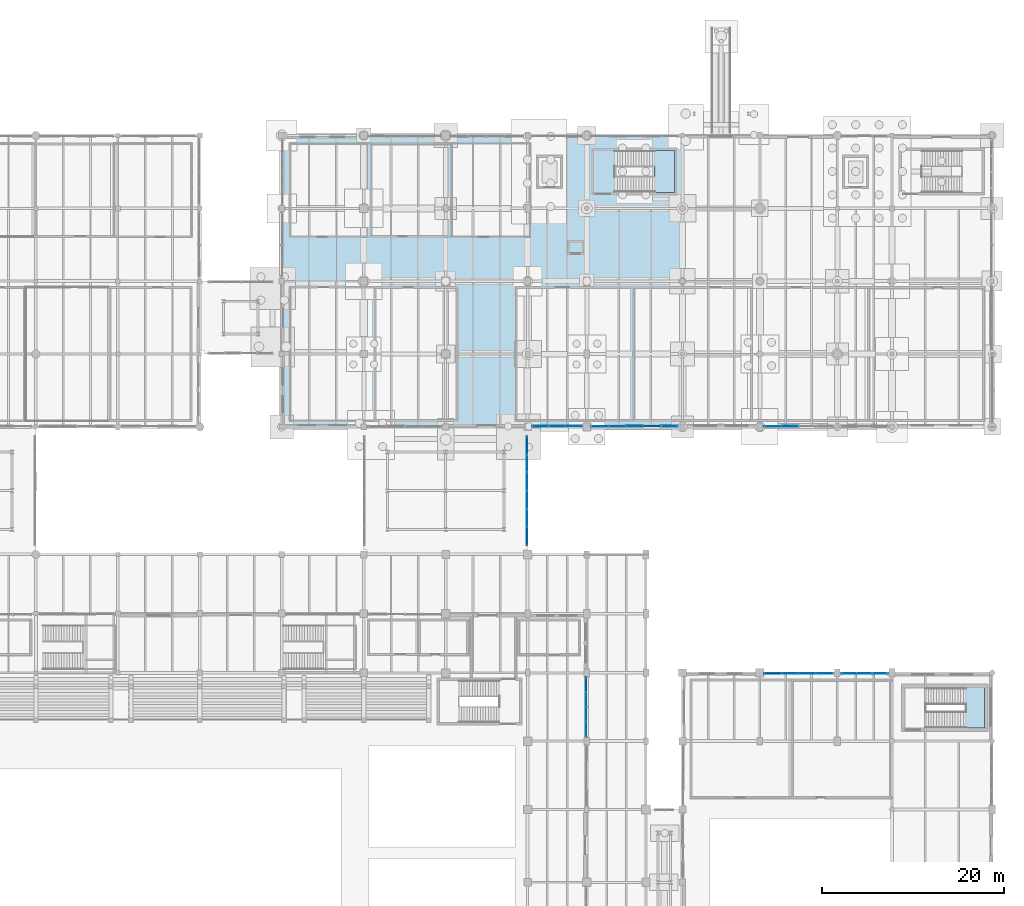
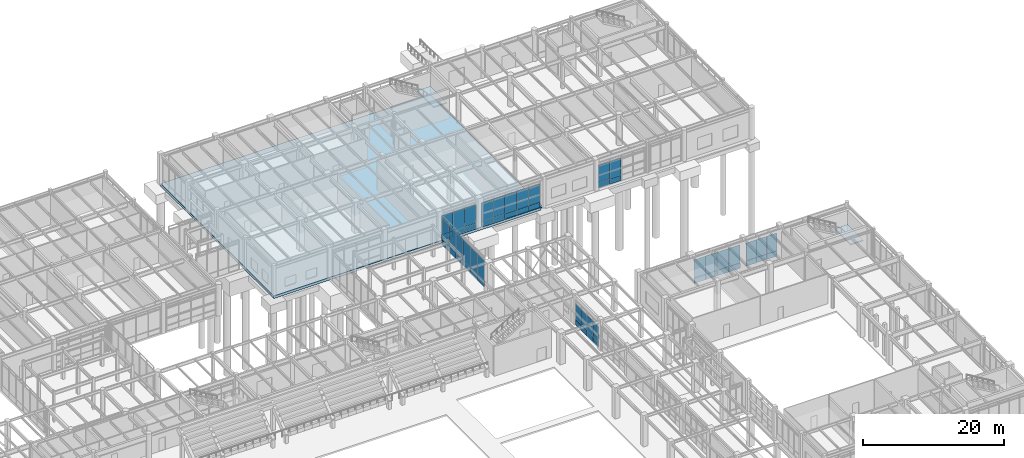
# One storey, part 160 of 203: 54 plates, 3 slabs, 9 elements without a shape of their own.
"""IFC4 building model written with IfcOpenShell, lengths in metres."""

from ifc_helpers import new_model, si_unit, direction, frame, origin, origin_2d, place, context, subcontext, project, spatial, polyline, rectangle, outline, extrude, material, layer, layer_set, type_object, element, aggregate, save


model = new_model("IFC4")

# Units and contexts
model_context = context("Model", 3, precision=1e-05, world=origin(), true_north=direction((0.0, 1.0)))
body_context = subcontext(model_context, "Body", "Model", "MODEL_VIEW")
ifc_project = project(units=[si_unit("LENGTHUNIT", "METRE"), si_unit("AREAUNIT", "SQUARE_METRE"), si_unit("VOLUMEUNIT", "CUBIC_METRE"), si_unit("PLANEANGLEUNIT", "RADIAN"), si_unit("MASSUNIT", "GRAM", prefix="KILO"), si_unit("THERMODYNAMICTEMPERATUREUNIT", "KELVIN"), si_unit("POWERUNIT", "WATT")], contexts=[model_context])

# Site, building, storey
site_placement = place(None, origin())
site = spatial("IfcSite", under=ifc_project, at=site_placement, CompositionType="ELEMENT")
building_placement = place(site_placement, origin())
building = spatial("IfcBuilding", under=site, at=building_placement, Name="Tepalcoro Natatorium and Aquatics Centre", CompositionType="ELEMENT")
storey_placement = place(building_placement, origin())
storey = spatial("IfcBuildingStorey", under=building, at=storey_placement, Name="L00", CompositionType="ELEMENT", Elevation=0.0)

# Curtain wall, plate
ifc_material_1 = material(Name="Bronze-Anodised Extruded Aluminium Alloy EN AW-6063 T6", Category="aluminium")
curtain_wall_type_1 = type_object("IfcCurtainWallType", Name="CW_V4_VILLAGE", PredefinedType="USERDEFINED", material=ifc_material_1)
curtain_wall_1_placement = place(storey_placement, origin())
curtain_wall_1 = element("IfcCurtainWall", 1, at=curtain_wall_1_placement, inside=storey, type_object=curtain_wall_type_1, Name="V1 L00 E Unitised Curtain Wall Bay 7", ObjectType="UNITISED STOREFRONT", PredefinedType="USERDEFINED")
ifc_material_2 = material(Name="Solar-Control Bronze Tempered Low-E Double Glazing", Category="glass")
ifc_layer_1 = layer(ifc_material_2, 0.048095703125)
ifc_layer_set_1 = layer_set([ifc_layer_1], Name="Solar-Control Bronze Tempered Low-E Double Glazing")
plate_type_1 = type_object("IfcPlateType", Name="PL_ACOUSTIC_IGU_48", PredefinedType="CURTAIN_PANEL", material=ifc_layer_set_1)
plate_1_placement = place(storey_placement, frame((131.409912109375, 54.4326171875, 0.9599609375), z_axis=(0.0, 0.0, 1.0), x_axis=(1.0, 0.0, 0.0)))
plate_1 = element("IfcPlate", 2, at=plate_1_placement, type_object=plate_type_1, Name="CW_V4_VILLAGE Insulated Glazing Unit", PredefinedType="CURTAIN_PANEL", context=body_context, shape_type="SweptSolid", body=[
    extrude(rectangle(XDim=0.048095703125, YDim=1.614990234375, at=origin_2d()), origin(), (0.0, 0.0, 1.0), 2.7041015625),
])

curtain_wall_type_2 = type_object("IfcCurtainWallType", Name="CW_LEAN_T1_EW", PredefinedType="USERDEFINED", material=ifc_material_1)
curtain_wall_2_placement = place(storey_placement, origin())
curtain_wall_2 = element("IfcCurtainWall", 3, at=curtain_wall_2_placement, inside=storey, type_object=curtain_wall_type_2, Name="V2 L00 N Unitised Curtain Wall Bay 2", ObjectType="FACETED SOLAR GLAZING", PredefinedType="USERDEFINED")
plate_2_placement = place(storey_placement, frame((153.8076171875, 58.9287109375, 0.9599609375), z_axis=(0.0, 0.0, 1.0), x_axis=(1.0, 0.0, 0.0)))
plate_2 = element("IfcPlate", 4, at=plate_2_placement, type_object=plate_type_1, Name="CW_LEAN_T1_EW Insulated Glazing Unit", PredefinedType="CURTAIN_PANEL", context=body_context, shape_type="SweptSolid", body=[
    extrude(rectangle(XDim=1.864990234375, YDim=0.048095703125, at=origin_2d()), origin(), (0.0, 0.0, 1.0), 3.1298828125),
])

curtain_wall_type_3 = type_object("IfcCurtainWallType", Name="CW_LEAN_T2_NS", PredefinedType="USERDEFINED", material=ifc_material_1)
curtain_wall_3_placement = place(storey_placement, origin())
curtain_wall_3 = element("IfcCurtainWall", 5, at=curtain_wall_3_placement, inside=storey, type_object=curtain_wall_type_3, Name="V2 L00 N Unitised Curtain Wall Bay 3", ObjectType="FACETED SOLAR GLAZING", PredefinedType="USERDEFINED")
plate_3_placement = place(storey_placement, frame((160.320068359375, 58.923828125, 0.9599609375), z_axis=(0.0, 0.0, 1.0), x_axis=(1.0, 0.0, 0.0)))
plate_3 = element("IfcPlate", 6, at=plate_3_placement, type_object=plate_type_1, Name="CW_LEAN_T2_NS Insulated Glazing Unit", PredefinedType="CURTAIN_PANEL", context=body_context, shape_type="SweptSolid", body=[
    extrude(rectangle(XDim=1.659912109375, YDim=0.048095703125, at=origin_2d()), origin(), (0.0, 0.0, 1.0), 3.053955078125),
])

curtain_wall_type_4 = type_object("IfcCurtainWallType", Name="CW_V5_LOWER", PredefinedType="USERDEFINED", material=ifc_material_1)
curtain_wall_4_placement = place(storey_placement, origin())
curtain_wall_4 = element("IfcCurtainWall", 7, at=curtain_wall_4_placement, inside=storey, type_object=curtain_wall_type_4, Name="V5 L00 S Unitised Curtain Wall Bay 4", ObjectType="UNITISED STOREFRONT", PredefinedType="USERDEFINED")
plate_4_placement = place(storey_placement, frame((130.0966796875, 86.080078125, 0.9599609375), z_axis=(0.0, 0.0, 1.0), x_axis=(1.0, 0.0, 0.0)))
plate_4 = element("IfcPlate", 8, at=plate_4_placement, type_object=plate_type_1, Name="CW_V5_LOWER Insulated Glazing Unit", PredefinedType="CURTAIN_PANEL", context=body_context, shape_type="SweptSolid", body=[
    extrude(rectangle(XDim=1.82666015625, YDim=0.048095703125, at=origin_2d()), origin(), (0.0, 0.0, 1.0), 3.177001953125),
])

# Curtain wall, plates
curtain_wall_type_5 = type_object("IfcCurtainWallType", Name="CW_V5_UPPER", PredefinedType="USERDEFINED", material=ifc_material_1)
curtain_wall_5_placement = place(storey_placement, origin())
curtain_wall_5 = element("IfcCurtainWall", 9, at=curtain_wall_5_placement, inside=storey, type_object=curtain_wall_type_5, Name="V5 L00 S Unitised Curtain Wall Bay 5", ObjectType="FACETED SOLAR GLAZING", PredefinedType="USERDEFINED")
plate_5_placement = place(storey_placement, frame((134.842041015625, 86.0712890625, 0.9599609375), z_axis=(0.0, 0.0, 1.0), x_axis=(1.0, 0.0, 0.0)))
plate_5 = element("IfcPlate", 10, at=plate_5_placement, type_object=plate_type_1, Name="CW_V5_UPPER Insulated Glazing Unit", PredefinedType="CURTAIN_PANEL", context=body_context, shape_type="SweptSolid", body=[
    extrude(rectangle(XDim=1.887939453125, YDim=0.048095703125, at=origin_2d()), origin(), (0.0, 0.0, 1.0), 3.1298828125),
])
plate_6_placement = place(storey_placement, frame((140.56591796875, 86.0712890625, 0.9599609375), z_axis=(0.0, 0.0, 1.0), x_axis=(1.0, 0.0, 0.0)))
plate_6 = element("IfcPlate", 11, at=plate_6_placement, type_object=plate_type_1, Name="CW_V5_UPPER Insulated Glazing Unit", PredefinedType="CURTAIN_PANEL", context=body_context, shape_type="SweptSolid", body=[
    extrude(rectangle(XDim=1.887939453125, YDim=0.048095703125, at=origin_2d()), origin(), (0.0, 0.0, 1.0), 3.1298828125),
])

# Curtain wall, plate
curtain_wall_6_placement = place(storey_placement, origin())
curtain_wall_6 = element("IfcCurtainWall", 12, at=curtain_wall_6_placement, inside=storey, type_object=curtain_wall_type_2, Name="V5 L00 S Unitised Curtain Wall Bay 7", ObjectType="FACETED SOLAR GLAZING", PredefinedType="USERDEFINED")
plate_7_placement = place(storey_placement, frame((151.922607421875, 86.0712890625, 0.9599609375), z_axis=(0.0, 0.0, 1.0), x_axis=(1.0, 0.0, 0.0)))
plate_7 = element("IfcPlate", 13, at=plate_7_placement, type_object=plate_type_1, Name="CW_LEAN_T1_EW Insulated Glazing Unit", PredefinedType="CURTAIN_PANEL", context=body_context, shape_type="SweptSolid", body=[
    extrude(rectangle(XDim=1.864990234375, YDim=0.048095703125, at=origin_2d()), origin(), (0.0, 0.0, 1.0), 2.97802734375),
])

# Curtain wall, plates
curtain_wall_type_6 = type_object("IfcCurtainWallType", Name="CW_LINK_150", PredefinedType="USERDEFINED", material=ifc_material_1)
curtain_wall_7_placement = place(storey_placement, origin())
curtain_wall_7 = element("IfcCurtainWall", 14, at=curtain_wall_7_placement, inside=storey, type_object=curtain_wall_type_6, Name="East Court Wellness Arcade Glazed Wall E L00", ObjectType="UNITISED STOREFRONT", PredefinedType="USERDEFINED")
plate_8_placement = place(storey_placement, frame((124.919921875, 74.0, 0.9599609375), z_axis=(0.0, 0.0, 1.0), x_axis=(1.0, 0.0, 0.0)))
plate_8 = element("IfcPlate", 15, at=plate_8_placement, type_object=plate_type_1, Name="CW_LINK_150 Insulated Glazing Unit", PredefinedType="CURTAIN_PANEL", context=body_context, shape_type="SweptSolid", body=[
    extrude(rectangle(XDim=0.048095703125, YDim=1.97998046875, at=origin_2d()), origin(), (0.0, 0.0, 1.0), 3.639892578125),
])
plate_9_placement = place(storey_placement, frame((124.919921875, 80.0, 0.9599609375), z_axis=(0.0, 0.0, 1.0), x_axis=(1.0, 0.0, 0.0)))
plate_9 = element("IfcPlate", 16, at=plate_9_placement, type_object=plate_type_1, Name="CW_LINK_150 Insulated Glazing Unit", PredefinedType="CURTAIN_PANEL", context=body_context, shape_type="SweptSolid", body=[
    extrude(rectangle(XDim=0.048095703125, YDim=1.97998046875, at=origin_2d()), origin(), (0.0, 0.0, 1.0), 3.639892578125),
])

# Plate
ifc_layer_2 = layer(ifc_material_2, 0.028076171875)
ifc_layer_set_2 = layer_set([ifc_layer_2], Name="Solar-Control Bronze Tempered Low-E Double Glazing")
plate_type_2 = type_object("IfcPlateType", Name="PL_BRONZE_IGU_28", PredefinedType="CURTAIN_PANEL", material=ifc_layer_set_2)
plate_10_placement = place(storey_placement, frame((131.409912109375, 52.797607421875, 0.9599609375), z_axis=(0.0, 0.0, 1.0), x_axis=(1.0, 0.0, 0.0)))
plate_10 = element("IfcPlate", 17, at=plate_10_placement, type_object=plate_type_2, Name="CW_V4_VILLAGE Insulated Glazing Unit", PredefinedType="CURTAIN_PANEL", context=body_context, shape_type="SweptSolid", body=[
    extrude(rectangle(XDim=0.028076171875, YDim=1.614990234375, at=origin_2d()), origin(), (0.0, 0.0, 1.0), 2.7041015625),
])

plate_11_placement = place(storey_placement, frame((131.409912109375, 57.702392578125, 0.9599609375), z_axis=(0.0, 0.0, 1.0), x_axis=(1.0, 0.0, 0.0)))
plate_11 = element("IfcPlate", 18, at=plate_11_placement, type_object=plate_type_2, Name="CW_V4_VILLAGE Insulated Glazing Unit", PredefinedType="CURTAIN_PANEL", context=body_context, shape_type="SweptSolid", body=[
    extrude(rectangle(XDim=0.028076171875, YDim=1.614990234375, at=origin_2d()), origin(), (0.0, 0.0, 1.0), 2.7041015625),
])

plate_12_placement = place(storey_placement, frame((151.922607421875, 58.9287109375, 0.9599609375), z_axis=(0.0, 0.0, 1.0), x_axis=(1.0, 0.0, 0.0)))
plate_12 = element("IfcPlate", 19, at=plate_12_placement, type_object=plate_type_2, Name="CW_LEAN_T1_EW Insulated Glazing Unit", PredefinedType="CURTAIN_PANEL", context=body_context, shape_type="SweptSolid", body=[
    extrude(rectangle(XDim=1.864990234375, YDim=0.028076171875, at=origin_2d()), origin(), (0.0, 0.0, 1.0), 3.1298828125),
])

plate_13_placement = place(storey_placement, frame((157.577392578125, 58.9287109375, 0.9599609375), z_axis=(0.0, 0.0, 1.0), x_axis=(1.0, 0.0, 0.0)))
plate_13 = element("IfcPlate", 20, at=plate_13_placement, type_object=plate_type_2, Name="CW_LEAN_T1_EW Insulated Glazing Unit", PredefinedType="CURTAIN_PANEL", context=body_context, shape_type="SweptSolid", body=[
    extrude(rectangle(XDim=1.864990234375, YDim=0.028076171875, at=origin_2d()), origin(), (0.0, 0.0, 1.0), 3.1298828125),
])

plate_14_placement = place(storey_placement, frame((163.679931640625, 58.923828125, 0.9599609375), z_axis=(0.0, 0.0, 1.0), x_axis=(1.0, 0.0, 0.0)))
plate_14 = element("IfcPlate", 21, at=plate_14_placement, type_object=plate_type_2, Name="CW_LEAN_T2_NS Insulated Glazing Unit", PredefinedType="CURTAIN_PANEL", context=body_context, shape_type="SweptSolid", body=[
    extrude(rectangle(XDim=1.659912109375, YDim=0.028076171875, at=origin_2d()), origin(), (0.0, 0.0, 1.0), 3.053955078125),
])

plate_15_placement = place(storey_placement, frame((128.25, 86.080078125, 0.9599609375), z_axis=(0.0, 0.0, 1.0), x_axis=(1.0, 0.0, 0.0)))
plate_15 = element("IfcPlate", 22, at=plate_15_placement, type_object=plate_type_2, Name="CW_V5_LOWER Insulated Glazing Unit", PredefinedType="CURTAIN_PANEL", context=body_context, shape_type="SweptSolid", body=[
    extrude(rectangle(XDim=1.82666015625, YDim=0.028076171875, at=origin_2d()), origin(), (0.0, 0.0, 1.0), 3.177001953125),
])

plate_16_placement = place(storey_placement, frame((132.93408203125, 86.0712890625, 0.9599609375), z_axis=(0.0, 0.0, 1.0), x_axis=(1.0, 0.0, 0.0)))
plate_16 = element("IfcPlate", 23, at=plate_16_placement, type_object=plate_type_2, Name="CW_V5_UPPER Insulated Glazing Unit", PredefinedType="CURTAIN_PANEL", context=body_context, shape_type="SweptSolid", body=[
    extrude(rectangle(XDim=1.887939453125, YDim=0.028076171875, at=origin_2d()), origin(), (0.0, 0.0, 1.0), 3.1298828125),
])

plate_17_placement = place(storey_placement, frame((138.657958984375, 86.0712890625, 0.9599609375), z_axis=(0.0, 0.0, 1.0), x_axis=(1.0, 0.0, 0.0)))
plate_17 = element("IfcPlate", 24, at=plate_17_placement, type_object=plate_type_2, Name="CW_V5_UPPER Insulated Glazing Unit", PredefinedType="CURTAIN_PANEL", context=body_context, shape_type="SweptSolid", body=[
    extrude(rectangle(XDim=1.887939453125, YDim=0.028076171875, at=origin_2d()), origin(), (0.0, 0.0, 1.0), 3.1298828125),
])

plate_18_placement = place(storey_placement, frame((124.919921875, 78.0, 0.9599609375), z_axis=(0.0, 0.0, 1.0), x_axis=(1.0, 0.0, 0.0)))
plate_18 = element("IfcPlate", 25, at=plate_18_placement, type_object=plate_type_2, Name="CW_LINK_150 Insulated Glazing Unit", PredefinedType="CURTAIN_PANEL", context=body_context, shape_type="SweptSolid", body=[
    extrude(rectangle(XDim=0.028076171875, YDim=1.97998046875, at=origin_2d()), origin(), (0.0, 0.0, 1.0), 3.639892578125),
])

plate_19_placement = place(storey_placement, frame((124.919921875, 84.0, 0.9599609375), z_axis=(0.0, 0.0, 1.0), x_axis=(1.0, 0.0, 0.0)))
plate_19 = element("IfcPlate", 26, at=plate_19_placement, type_object=plate_type_2, Name="CW_LINK_150 Insulated Glazing Unit", PredefinedType="CURTAIN_PANEL", context=body_context, shape_type="SweptSolid", body=[
    extrude(rectangle(XDim=0.028076171875, YDim=1.97998046875, at=origin_2d()), origin(), (0.0, 0.0, 1.0), 3.639892578125),
])

ifc_material_3 = material(Name="Jalisco Cantera Rosa Volcanic Tuff Ashlar Masonry", Category="masonry")
ifc_layer_3 = layer(ifc_material_3, 0.090087890625)
ifc_layer_set_3 = layer_set([ifc_layer_3], Name="Jalisco Cantera Rosa Volcanic Tuff Ashlar Masonry")
plate_type_3 = type_object("IfcPlateType", Name="PL_CANTERA_90", PredefinedType="SHEET", material=ifc_layer_set_3)
plate_20_placement = place(storey_placement, frame((131.409912109375, 56.0673828125, 0.044921875), z_axis=(0.0, 0.0, 1.0), x_axis=(1.0, 0.0, 0.0)))
plate_20 = element("IfcPlate", 27, at=plate_20_placement, type_object=plate_type_3, Name="CW_V4_VILLAGE Spandrel & Screen Panel", PredefinedType="SHEET", context=body_context, shape_type="SweptSolid", body=[
    extrude(rectangle(XDim=0.090087890625, YDim=1.614990234375, at=origin_2d()), origin(), (0.0, 0.0, 1.0), 0.909912109375),
])

plate_21_placement = place(storey_placement, frame((136.75, 86.0712890625, 0.044921875), z_axis=(0.0, 0.0, 1.0), x_axis=(1.0, 0.0, 0.0)))
plate_21 = element("IfcPlate", 28, at=plate_21_placement, type_object=plate_type_3, Name="CW_V5_UPPER Spandrel & Screen Panel", PredefinedType="SHEET", context=body_context, shape_type="SweptSolid", body=[
    extrude(rectangle(XDim=1.887939453125, YDim=0.090087890625, at=origin_2d()), origin(), (0.0, 0.0, 1.0), 0.909912109375),
])

plate_22_placement = place(storey_placement, frame((153.8076171875, 86.0712890625, 0.044921875), z_axis=(0.0, 0.0, 1.0), x_axis=(1.0, 0.0, 0.0)))
plate_22 = element("IfcPlate", 29, at=plate_22_placement, type_object=plate_type_3, Name="CW_LEAN_T1_EW Spandrel & Screen Panel", PredefinedType="SHEET", context=body_context, shape_type="SweptSolid", body=[
    extrude(rectangle(XDim=1.864990234375, YDim=0.090087890625, at=origin_2d()), origin(), (0.0, 0.0, 1.0), 0.909912109375),
])

plate_23_placement = place(storey_placement, frame((124.919921875, 82.0, 0.044921875), z_axis=(0.0, 0.0, 1.0), x_axis=(1.0, 0.0, 0.0)))
plate_23 = element("IfcPlate", 30, at=plate_23_placement, type_object=plate_type_3, Name="CW_LINK_150 Spandrel & Screen Panel", PredefinedType="SHEET", context=body_context, shape_type="SweptSolid", body=[
    extrude(rectangle(XDim=0.090087890625, YDim=1.97998046875, at=origin_2d()), origin(), (0.0, 0.0, 1.0), 0.909912109375),
])

ifc_material_4 = material(Name="Clear Tempered Low-E Safety Glazing", Category="glass")
ifc_layer_4 = layer(ifc_material_4, 0.011962890625)
ifc_layer_set_4 = layer_set([ifc_layer_4], Name="Clear Tempered Low-E Safety Glazing")
plate_type_4 = type_object("IfcPlateType", Name="PL_GLASS_12", PredefinedType="CURTAIN_PANEL", material=ifc_layer_set_4)
plate_24_placement = place(storey_placement, frame((131.409912109375, 56.0673828125, 0.9599609375), z_axis=(0.0, 0.0, 1.0), x_axis=(1.0, 0.0, 0.0)))
plate_24 = element("IfcPlate", 31, at=plate_24_placement, type_object=plate_type_4, Name="CW_V4_VILLAGE Insulated Glazing Unit", PredefinedType="CURTAIN_PANEL", context=body_context, shape_type="SweptSolid", body=[
    extrude(rectangle(XDim=0.011962890625, YDim=1.614990234375, at=origin_2d()), origin(), (0.0, 0.0, 1.0), 2.7041015625),
])

plate_25_placement = place(storey_placement, frame((155.6923828125, 58.9287109375, 0.9599609375), z_axis=(0.0, 0.0, 1.0), x_axis=(1.0, 0.0, 0.0)))
plate_25 = element("IfcPlate", 32, at=plate_25_placement, type_object=plate_type_4, Name="CW_LEAN_T1_EW Insulated Glazing Unit", PredefinedType="CURTAIN_PANEL", context=body_context, shape_type="SweptSolid", body=[
    extrude(rectangle(XDim=1.864990234375, YDim=0.011962890625, at=origin_2d()), origin(), (0.0, 0.0, 1.0), 3.1298828125),
])

plate_26_placement = place(storey_placement, frame((162.0, 58.923828125, 0.9599609375), z_axis=(0.0, 0.0, 1.0), x_axis=(1.0, 0.0, 0.0)))
plate_26 = element("IfcPlate", 33, at=plate_26_placement, type_object=plate_type_4, Name="CW_LEAN_T2_NS Insulated Glazing Unit", PredefinedType="CURTAIN_PANEL", context=body_context, shape_type="SweptSolid", body=[
    extrude(rectangle(XDim=1.659912109375, YDim=0.011962890625, at=origin_2d()), origin(), (0.0, 0.0, 1.0), 3.053955078125),
])

plate_27_placement = place(storey_placement, frame((126.4033203125, 86.080078125, 0.9599609375), z_axis=(0.0, 0.0, 1.0), x_axis=(1.0, 0.0, 0.0)))
plate_27 = element("IfcPlate", 34, at=plate_27_placement, type_object=plate_type_4, Name="CW_V5_LOWER Insulated Glazing Unit", PredefinedType="CURTAIN_PANEL", context=body_context, shape_type="SweptSolid", body=[
    extrude(rectangle(XDim=1.82666015625, YDim=0.011962890625, at=origin_2d()), origin(), (0.0, 0.0, 1.0), 3.177001953125),
])

plate_28_placement = place(storey_placement, frame((136.75, 86.0712890625, 0.9599609375), z_axis=(0.0, 0.0, 1.0), x_axis=(1.0, 0.0, 0.0)))
plate_28 = element("IfcPlate", 35, at=plate_28_placement, type_object=plate_type_4, Name="CW_V5_UPPER Insulated Glazing Unit", PredefinedType="CURTAIN_PANEL", context=body_context, shape_type="SweptSolid", body=[
    extrude(rectangle(XDim=1.887939453125, YDim=0.011962890625, at=origin_2d()), origin(), (0.0, 0.0, 1.0), 3.1298828125),
])

plate_29_placement = place(storey_placement, frame((153.8076171875, 86.0712890625, 0.9599609375), z_axis=(0.0, 0.0, 1.0), x_axis=(1.0, 0.0, 0.0)))
plate_29 = element("IfcPlate", 36, at=plate_29_placement, type_object=plate_type_4, Name="CW_LEAN_T1_EW Insulated Glazing Unit", PredefinedType="CURTAIN_PANEL", context=body_context, shape_type="SweptSolid", body=[
    extrude(rectangle(XDim=1.864990234375, YDim=0.011962890625, at=origin_2d()), origin(), (0.0, 0.0, 1.0), 2.97802734375),
])

plate_30_placement = place(storey_placement, frame((124.919921875, 76.0, 0.9599609375), z_axis=(0.0, 0.0, 1.0), x_axis=(1.0, 0.0, 0.0)))
plate_30 = element("IfcPlate", 37, at=plate_30_placement, type_object=plate_type_4, Name="CW_LINK_150 Insulated Glazing Unit", PredefinedType="CURTAIN_PANEL", context=body_context, shape_type="SweptSolid", body=[
    extrude(rectangle(XDim=0.011962890625, YDim=1.97998046875, at=origin_2d()), origin(), (0.0, 0.0, 1.0), 3.639892578125),
])

plate_31_placement = place(storey_placement, frame((124.919921875, 82.0, 0.9599609375), z_axis=(0.0, 0.0, 1.0), x_axis=(1.0, 0.0, 0.0)))
plate_31 = element("IfcPlate", 38, at=plate_31_placement, type_object=plate_type_4, Name="CW_LINK_150 Insulated Glazing Unit", PredefinedType="CURTAIN_PANEL", context=body_context, shape_type="SweptSolid", body=[
    extrude(rectangle(XDim=0.011962890625, YDim=1.97998046875, at=origin_2d()), origin(), (0.0, 0.0, 1.0), 3.639892578125),
])

ifc_material_5 = material(Name="Volcanic Recinto Basalt Ashlar Masonry", Category="masonry")
ifc_layer_5 = layer(ifc_material_5, 0.110107421875)
ifc_layer_set_5 = layer_set([ifc_layer_5], Name="Volcanic Recinto Basalt Ashlar Masonry")
plate_type_5 = type_object("IfcPlateType", Name="PL_RECINTO_110", PredefinedType="SHEET", material=ifc_layer_set_5)
plate_32_placement = place(storey_placement, frame((131.409912109375, 57.702392578125, 0.044921875), z_axis=(0.0, 0.0, 1.0), x_axis=(1.0, 0.0, 0.0)))
plate_32 = element("IfcPlate", 39, at=plate_32_placement, type_object=plate_type_5, Name="CW_V4_VILLAGE Spandrel & Screen Panel", PredefinedType="SHEET", context=body_context, shape_type="SweptSolid", body=[
    extrude(rectangle(XDim=0.110107421875, YDim=1.614990234375, at=origin_2d()), origin(), (0.0, 0.0, 1.0), 0.909912109375),
])

plate_33_placement = place(storey_placement, frame((151.922607421875, 58.9287109375, 0.044921875), z_axis=(0.0, 0.0, 1.0), x_axis=(1.0, 0.0, 0.0)))
plate_33 = element("IfcPlate", 40, at=plate_33_placement, type_object=plate_type_5, Name="CW_LEAN_T1_EW Spandrel & Screen Panel", PredefinedType="SHEET", context=body_context, shape_type="SweptSolid", body=[
    extrude(rectangle(XDim=1.864990234375, YDim=0.110107421875, at=origin_2d()), origin(), (0.0, 0.0, 1.0), 0.909912109375),
])

plate_34_placement = place(storey_placement, frame((138.657958984375, 86.0712890625, 0.044921875), z_axis=(0.0, 0.0, 1.0), x_axis=(1.0, 0.0, 0.0)))
plate_34 = element("IfcPlate", 41, at=plate_34_placement, type_object=plate_type_5, Name="CW_V5_UPPER Spandrel & Screen Panel", PredefinedType="SHEET", context=body_context, shape_type="SweptSolid", body=[
    extrude(rectangle(XDim=1.887939453125, YDim=0.110107421875, at=origin_2d()), origin(), (0.0, 0.0, 1.0), 0.909912109375),
])

plate_35_placement = place(storey_placement, frame((124.919921875, 74.0, 0.044921875), z_axis=(0.0, 0.0, 1.0), x_axis=(1.0, 0.0, 0.0)))
plate_35 = element("IfcPlate", 42, at=plate_35_placement, type_object=plate_type_5, Name="CW_LINK_150 Spandrel & Screen Panel", PredefinedType="SHEET", context=body_context, shape_type="SweptSolid", body=[
    extrude(rectangle(XDim=0.110107421875, YDim=1.97998046875, at=origin_2d()), origin(), (0.0, 0.0, 1.0), 0.909912109375),
])

plate_36_placement = place(storey_placement, frame((124.919921875, 84.0, 0.044921875), z_axis=(0.0, 0.0, 1.0), x_axis=(1.0, 0.0, 0.0)))
plate_36 = element("IfcPlate", 43, at=plate_36_placement, type_object=plate_type_5, Name="CW_LINK_150 Spandrel & Screen Panel", PredefinedType="SHEET", context=body_context, shape_type="SweptSolid", body=[
    extrude(rectangle(XDim=0.110107421875, YDim=1.97998046875, at=origin_2d()), origin(), (0.0, 0.0, 1.0), 0.909912109375),
])

ifc_layer_6 = layer(ifc_material_1, 0.050048828125)
ifc_layer_set_6 = layer_set([ifc_layer_6], Name="Bronze-Anodised Extruded Aluminium Alloy EN AW-6063 T6")
plate_type_6 = type_object("IfcPlateType", Name="PL_SCREEN_50", PredefinedType="SHEET", material=ifc_layer_set_6)
plate_37_placement = place(storey_placement, frame((131.409912109375, 52.797607421875, 0.044921875), z_axis=(0.0, 0.0, 1.0), x_axis=(1.0, 0.0, 0.0)))
plate_37 = element("IfcPlate", 44, at=plate_37_placement, type_object=plate_type_6, Name="CW_V4_VILLAGE Spandrel & Screen Panel", PredefinedType="SHEET", context=body_context, shape_type="SweptSolid", body=[
    extrude(rectangle(XDim=0.050048828125, YDim=1.614990234375, at=origin_2d()), origin(), (0.0, 0.0, 1.0), 0.909912109375),
])

plate_38_placement = place(storey_placement, frame((155.6923828125, 58.9287109375, 0.044921875), z_axis=(0.0, 0.0, 1.0), x_axis=(1.0, 0.0, 0.0)))
plate_38 = element("IfcPlate", 45, at=plate_38_placement, type_object=plate_type_6, Name="CW_LEAN_T1_EW Spandrel & Screen Panel", PredefinedType="SHEET", context=body_context, shape_type="SweptSolid", body=[
    extrude(rectangle(XDim=1.864990234375, YDim=0.050048828125, at=origin_2d()), origin(), (0.0, 0.0, 1.0), 0.909912109375),
])

plate_39_placement = place(storey_placement, frame((162.0, 58.923828125, 0.044921875), z_axis=(0.0, 0.0, 1.0), x_axis=(1.0, 0.0, 0.0)))
plate_39 = element("IfcPlate", 46, at=plate_39_placement, type_object=plate_type_6, Name="CW_LEAN_T2_NS Spandrel & Screen Panel", PredefinedType="SHEET", context=body_context, shape_type="SweptSolid", body=[
    extrude(rectangle(XDim=1.659912109375, YDim=0.050048828125, at=origin_2d()), origin(), (0.0, 0.0, 1.0), 0.909912109375),
])

plate_40_placement = place(storey_placement, frame((128.25, 86.080078125, 0.044921875), z_axis=(0.0, 0.0, 1.0), x_axis=(1.0, 0.0, 0.0)))
plate_40 = element("IfcPlate", 47, at=plate_40_placement, type_object=plate_type_6, Name="CW_V5_LOWER Spandrel & Screen Panel", PredefinedType="SHEET", context=body_context, shape_type="SweptSolid", body=[
    extrude(rectangle(XDim=1.82666015625, YDim=0.050048828125, at=origin_2d()), origin(), (0.0, 0.0, 1.0), 0.909912109375),
])

plate_41_placement = place(storey_placement, frame((132.93408203125, 86.0712890625, 0.044921875), z_axis=(0.0, 0.0, 1.0), x_axis=(1.0, 0.0, 0.0)))
plate_41 = element("IfcPlate", 48, at=plate_41_placement, type_object=plate_type_6, Name="CW_V5_UPPER Spandrel & Screen Panel", PredefinedType="SHEET", context=body_context, shape_type="SweptSolid", body=[
    extrude(rectangle(XDim=1.887939453125, YDim=0.050048828125, at=origin_2d()), origin(), (0.0, 0.0, 1.0), 0.909912109375),
])

plate_42_placement = place(storey_placement, frame((124.919921875, 78.0, 0.044921875), z_axis=(0.0, 0.0, 1.0), x_axis=(1.0, 0.0, 0.0)))
plate_42 = element("IfcPlate", 49, at=plate_42_placement, type_object=plate_type_6, Name="CW_LINK_150 Spandrel & Screen Panel", PredefinedType="SHEET", context=body_context, shape_type="SweptSolid", body=[
    extrude(rectangle(XDim=0.050048828125, YDim=1.97998046875, at=origin_2d()), origin(), (0.0, 0.0, 1.0), 0.909912109375),
])

ifc_layer_7 = layer(ifc_material_1, 0.06005859375)
ifc_layer_set_7 = layer_set([ifc_layer_7], Name="Bronze-Anodised Extruded Aluminium Alloy EN AW-6063 T6")
plate_type_7 = type_object("IfcPlateType", Name="PL_SCREEN_60", PredefinedType="SHEET", material=ifc_layer_set_7)
plate_43_placement = place(storey_placement, frame((131.409912109375, 54.4326171875, 0.044921875), z_axis=(0.0, 0.0, 1.0), x_axis=(1.0, 0.0, 0.0)))
plate_43 = element("IfcPlate", 50, at=plate_43_placement, type_object=plate_type_7, Name="CW_V4_VILLAGE Spandrel & Screen Panel", PredefinedType="SHEET", context=body_context, shape_type="SweptSolid", body=[
    extrude(rectangle(XDim=0.06005859375, YDim=1.614990234375, at=origin_2d()), origin(), (0.0, 0.0, 1.0), 0.909912109375),
])

aggregate(curtain_wall_1, [plate_10, plate_37, plate_1, plate_43, plate_24, plate_20, plate_11, plate_32])

plate_44_placement = place(storey_placement, frame((157.577392578125, 58.9287109375, 0.044921875), z_axis=(0.0, 0.0, 1.0), x_axis=(1.0, 0.0, 0.0)))
plate_44 = element("IfcPlate", 51, at=plate_44_placement, type_object=plate_type_7, Name="CW_LEAN_T1_EW Spandrel & Screen Panel", PredefinedType="SHEET", context=body_context, shape_type="SweptSolid", body=[
    extrude(rectangle(XDim=1.864990234375, YDim=0.06005859375, at=origin_2d()), origin(), (0.0, 0.0, 1.0), 0.909912109375),
])

plate_45_placement = place(storey_placement, frame((163.679931640625, 58.923828125, 0.044921875), z_axis=(0.0, 0.0, 1.0), x_axis=(1.0, 0.0, 0.0)))
plate_45 = element("IfcPlate", 52, at=plate_45_placement, type_object=plate_type_7, Name="CW_LEAN_T2_NS Spandrel & Screen Panel", PredefinedType="SHEET", context=body_context, shape_type="SweptSolid", body=[
    extrude(rectangle(XDim=1.659912109375, YDim=0.06005859375, at=origin_2d()), origin(), (0.0, 0.0, 1.0), 0.909912109375),
])

plate_46_placement = place(storey_placement, frame((130.0966796875, 86.080078125, 0.044921875), z_axis=(0.0, 0.0, 1.0), x_axis=(1.0, 0.0, 0.0)))
plate_46 = element("IfcPlate", 53, at=plate_46_placement, type_object=plate_type_7, Name="CW_V5_LOWER Spandrel & Screen Panel", PredefinedType="SHEET", context=body_context, shape_type="SweptSolid", body=[
    extrude(rectangle(XDim=1.82666015625, YDim=0.06005859375, at=origin_2d()), origin(), (0.0, 0.0, 1.0), 0.909912109375),
])

plate_47_placement = place(storey_placement, frame((134.842041015625, 86.0712890625, 0.044921875), z_axis=(0.0, 0.0, 1.0), x_axis=(1.0, 0.0, 0.0)))
plate_47 = element("IfcPlate", 54, at=plate_47_placement, type_object=plate_type_7, Name="CW_V5_UPPER Spandrel & Screen Panel", PredefinedType="SHEET", context=body_context, shape_type="SweptSolid", body=[
    extrude(rectangle(XDim=1.887939453125, YDim=0.06005859375, at=origin_2d()), origin(), (0.0, 0.0, 1.0), 0.909912109375),
])

plate_48_placement = place(storey_placement, frame((151.922607421875, 86.0712890625, 0.044921875), z_axis=(0.0, 0.0, 1.0), x_axis=(1.0, 0.0, 0.0)))
plate_48 = element("IfcPlate", 55, at=plate_48_placement, type_object=plate_type_7, Name="CW_LEAN_T1_EW Spandrel & Screen Panel", PredefinedType="SHEET", context=body_context, shape_type="SweptSolid", body=[
    extrude(rectangle(XDim=1.864990234375, YDim=0.06005859375, at=origin_2d()), origin(), (0.0, 0.0, 1.0), 0.909912109375),
])

aggregate(curtain_wall_6, [plate_7, plate_48, plate_29, plate_22])

plate_49_placement = place(storey_placement, frame((124.919921875, 80.0, 0.044921875), z_axis=(0.0, 0.0, 1.0), x_axis=(1.0, 0.0, 0.0)))
plate_49 = element("IfcPlate", 56, at=plate_49_placement, type_object=plate_type_7, Name="CW_LINK_150 Spandrel & Screen Panel", PredefinedType="SHEET", context=body_context, shape_type="SweptSolid", body=[
    extrude(rectangle(XDim=0.06005859375, YDim=1.97998046875, at=origin_2d()), origin(), (0.0, 0.0, 1.0), 0.909912109375),
])

ifc_material_6 = material(Name="Insulated Bronze Anodised Aluminium Spandrel Panel", Category="aluminium")
ifc_layer_8 = layer(ifc_material_6, 0.070068359375)
ifc_layer_set_8 = layer_set([ifc_layer_8], Name="Insulated Bronze Anodised Aluminium Spandrel Panel")
plate_type_8 = type_object("IfcPlateType", Name="PL_SPANDREL_70", PredefinedType="CURTAIN_PANEL", material=ifc_layer_set_8)
plate_50_placement = place(storey_placement, frame((153.8076171875, 58.9287109375, 0.044921875), z_axis=(0.0, 0.0, 1.0), x_axis=(1.0, 0.0, 0.0)))
plate_50 = element("IfcPlate", 57, at=plate_50_placement, type_object=plate_type_8, Name="CW_LEAN_T1_EW Spandrel & Screen Panel", PredefinedType="CURTAIN_PANEL", context=body_context, shape_type="SweptSolid", body=[
    extrude(rectangle(XDim=1.864990234375, YDim=0.070068359375, at=origin_2d()), origin(), (0.0, 0.0, 1.0), 0.909912109375),
])

aggregate(curtain_wall_2, [plate_12, plate_33, plate_2, plate_50, plate_25, plate_38, plate_13, plate_44])

plate_51_placement = place(storey_placement, frame((160.320068359375, 58.923828125, 0.044921875), z_axis=(0.0, 0.0, 1.0), x_axis=(1.0, 0.0, 0.0)))
plate_51 = element("IfcPlate", 58, at=plate_51_placement, type_object=plate_type_8, Name="CW_LEAN_T2_NS Spandrel & Screen Panel", PredefinedType="CURTAIN_PANEL", context=body_context, shape_type="SweptSolid", body=[
    extrude(rectangle(XDim=1.659912109375, YDim=0.070068359375, at=origin_2d()), origin(), (0.0, 0.0, 1.0), 0.909912109375),
])

aggregate(curtain_wall_3, [plate_3, plate_51, plate_26, plate_39, plate_14, plate_45])

plate_52_placement = place(storey_placement, frame((126.4033203125, 86.080078125, 0.044921875), z_axis=(0.0, 0.0, 1.0), x_axis=(1.0, 0.0, 0.0)))
plate_52 = element("IfcPlate", 59, at=plate_52_placement, type_object=plate_type_8, Name="CW_V5_LOWER Spandrel & Screen Panel", PredefinedType="CURTAIN_PANEL", context=body_context, shape_type="SweptSolid", body=[
    extrude(rectangle(XDim=1.82666015625, YDim=0.070068359375, at=origin_2d()), origin(), (0.0, 0.0, 1.0), 0.909912109375),
])

aggregate(curtain_wall_4, [plate_27, plate_52, plate_15, plate_40, plate_4, plate_46])

plate_53_placement = place(storey_placement, frame((140.56591796875, 86.0712890625, 0.044921875), z_axis=(0.0, 0.0, 1.0), x_axis=(1.0, 0.0, 0.0)))
plate_53 = element("IfcPlate", 60, at=plate_53_placement, type_object=plate_type_8, Name="CW_V5_UPPER Spandrel & Screen Panel", PredefinedType="CURTAIN_PANEL", context=body_context, shape_type="SweptSolid", body=[
    extrude(rectangle(XDim=1.887939453125, YDim=0.070068359375, at=origin_2d()), origin(), (0.0, 0.0, 1.0), 0.909912109375),
])

aggregate(curtain_wall_5, [plate_16, plate_41, plate_5, plate_47, plate_28, plate_21, plate_17, plate_34, plate_6, plate_53])

plate_54_placement = place(storey_placement, frame((124.919921875, 76.0, 0.044921875), z_axis=(0.0, 0.0, 1.0), x_axis=(1.0, 0.0, 0.0)))
plate_54 = element("IfcPlate", 61, at=plate_54_placement, type_object=plate_type_8, Name="CW_LINK_150 Spandrel & Screen Panel", PredefinedType="CURTAIN_PANEL", context=body_context, shape_type="SweptSolid", body=[
    extrude(rectangle(XDim=0.070068359375, YDim=1.97998046875, at=origin_2d()), origin(), (0.0, 0.0, 1.0), 0.909912109375),
])

aggregate(curtain_wall_7, [plate_8, plate_35, plate_30, plate_54, plate_18, plate_42, plate_9, plate_49, plate_31, plate_23, plate_19, plate_36])

# Slab
ifc_material_7 = material(Name="Concrete C40/50 (fc 40 MPa)", Category="concrete")
ifc_layer_9 = layer(ifc_material_7, 0.4599609375)
ifc_layer_set_9 = layer_set([ifc_layer_9], Name="Concrete C40/50 (fc 40 MPa)")
slab_type_1 = type_object("IfcSlabType", Name="SL_BASE_460", PredefinedType="BASESLAB", material=ifc_layer_set_9)
slab_1_placement = place(storey_placement, frame((0.0, 0.0, -0.4599609375)))
element("IfcSlab", 62, at=slab_1_placement, inside=storey, type_object=slab_type_1, Name="V5 L00 Natatorium and Civic Floor Slab W", PredefinedType="BASESLAB", context=body_context, shape_type="SweptSolid", body=[
    extrude(outline(polyline([(98.0, 118.0), (142.0, 118.0), (142.0, 86.35009765625), (141.64990234375, 86.35009765625), (141.64990234375, 86.0), (98.0, 86.0), (98.0, 118.0)])), origin(), (0.0, 0.0, 1.0), 0.4599609375),
])

# Stair, slab
ifc_material_8 = material(Name="Concrete C35/45 (fc 35 MPa)", Category="concrete")
stair_type_1 = type_object("IfcStairType", Name="ST_RC_1800_L03", PredefinedType="HALF_TURN_STAIR", material=ifc_material_8)
stair_1_placement = place(storey_placement, origin())
stair_1 = element("IfcStair", 63, at=stair_1_placement, inside=storey, type_object=stair_type_1, Name="Diving Wing North Fire Stair (L00 to L01)", PredefinedType="HALF_TURN_STAIR")
ifc_layer_10 = layer(ifc_material_8, 0.199951171875)
ifc_layer_set_10 = layer_set([ifc_layer_10], Name="Concrete C35/45 (fc 35 MPa)")
slab_type_2 = type_object("IfcSlabType", Name="SL_LANDING_200", PredefinedType="LANDING", material=ifc_layer_set_10)
slab_2_placement = place(storey_placement, frame((0.0, 0.0, 2.5)))
slab_2 = element("IfcSlab", 64, at=slab_2_placement, type_object=slab_type_2, Name="Diving Wing North Fire Stair (L00 to L01) Half-Landing", PredefinedType="LANDING", context=body_context, shape_type="SweptSolid", body=[
    extrude(outline(polyline([(173.0849609375, 52.929931640625), (175.169921875, 52.929931640625), (175.169921875, 57.3701171875), (173.0849609375, 57.3701171875), (173.0849609375, 52.929931640625)])), origin(), (0.0, 0.0, 1.0), 0.199951171875),
])
aggregate(stair_1, [slab_2])

stair_type_2 = type_object("IfcStairType", Name="ST_RC_1800_L02", PredefinedType="HALF_TURN_STAIR", material=ifc_material_8)
stair_2_placement = place(storey_placement, origin())
stair_2 = element("IfcStair", 65, at=stair_2_placement, inside=storey, type_object=stair_type_2, Name="Wellness & Broadcast West Fire Stair (L00 to L01)", PredefinedType="HALF_TURN_STAIR")
slab_3_placement = place(storey_placement, frame((0.0, 0.0, 2.5)))
slab_3 = element("IfcSlab", 66, at=slab_3_placement, type_object=slab_type_2, Name="Wellness & Broadcast West Fire Stair (L00 to L01) Half-Landing", PredefinedType="LANDING", context=body_context, shape_type="SweptSolid", body=[
    extrude(outline(polyline([(138.93505859375, 111.72998046875), (141.1201171875, 111.72998046875), (141.1201171875, 116.3701171875), (138.93505859375, 116.3701171875), (138.93505859375, 111.72998046875)])), origin(), (0.0, 0.0, 1.0), 0.199951171875),
])
aggregate(stair_2, [slab_3])

save(model, "model.ifc")
